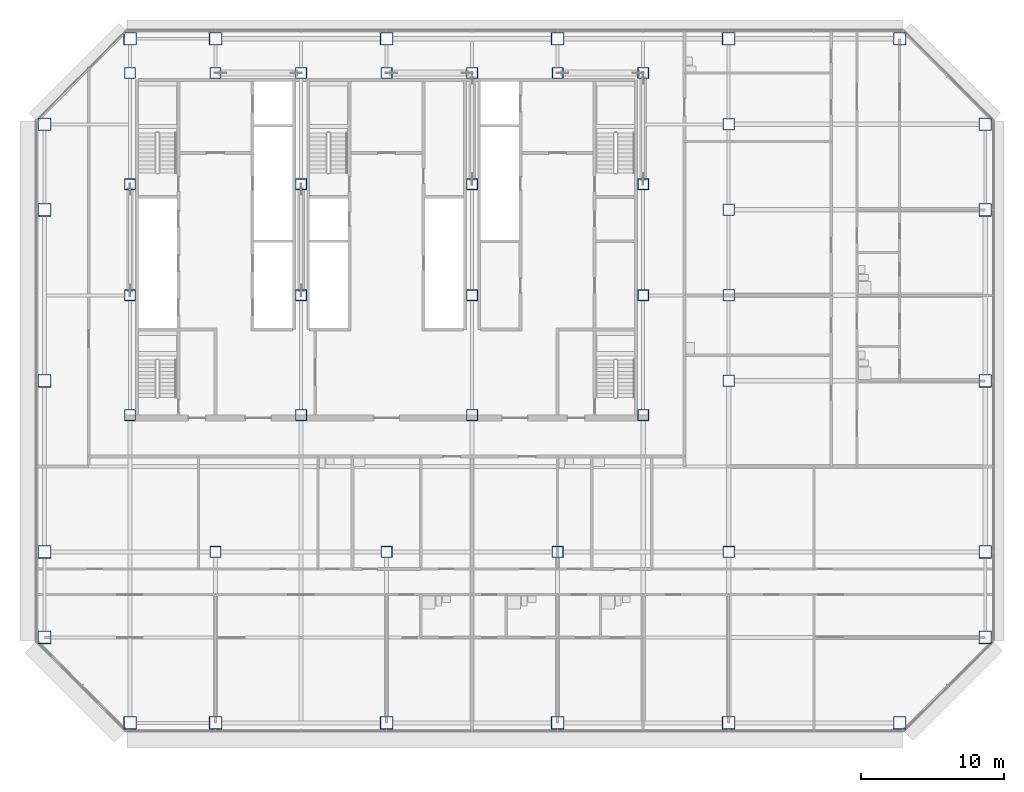
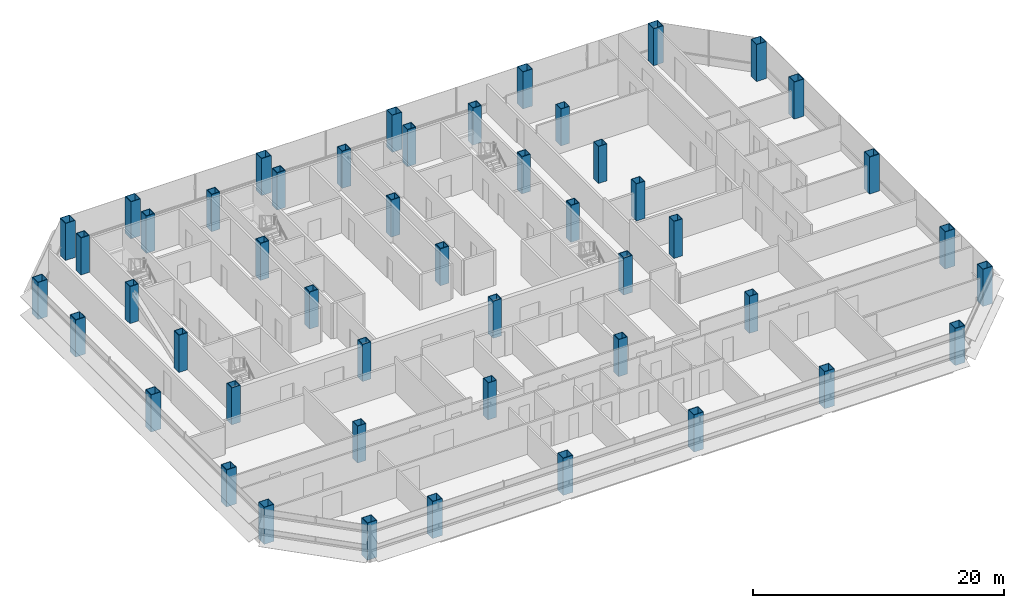
# One storey, part 1 of 26: 49 columns.
"""IFC4 building model written with IfcOpenShell, lengths in metres."""

from ifc_helpers import new_model, si_unit, direction, frame, origin, origin_2d, place, context, subcontext, project, spatial, hollow_rectangle, extrude, material, material_profile, profile_set, type_object, element, save


model = new_model("IFC4")

# Units and contexts
model_context = context("Model", 3, precision=1e-05, world=origin(), true_north=direction((0.0, 1.0)))
body_context = subcontext(model_context, "Body", "Model", "MODEL_VIEW")
ifc_project = project(units=[si_unit("LENGTHUNIT", "METRE"), si_unit("AREAUNIT", "SQUARE_METRE"), si_unit("VOLUMEUNIT", "CUBIC_METRE"), si_unit("PLANEANGLEUNIT", "RADIAN"), si_unit("MASSUNIT", "GRAM", prefix="KILO")], contexts=[model_context])

# Site, building, storey
site_placement = place(None, origin())
site = spatial("IfcSite", under=ifc_project, at=site_placement, CompositionType="ELEMENT")
building_placement = place(site_placement, origin())
building = spatial("IfcBuilding", under=site, at=building_placement, Name="Sorahane Residences", CompositionType="ELEMENT")
storey_placement = place(building_placement, frame((0.0, 0.0, 71.39990234375)))
storey = spatial("IfcBuildingStorey", under=building, at=storey_placement, Name="L14", CompositionType="ELEMENT", Elevation=71.39990234375)

# Columns
ifc_material_1 = material(Name="Steel Q355B", Category="steel")
ifc_material_profile_1 = material_profile(ifc_material_1, hollow_rectangle(XDim=0.800048828125, YDim=0.800048828125, WallThickness=0.0400390625, at=origin_2d()), Name="BOX 800x800x40")
ifc_profile_set_1 = profile_set([ifc_material_profile_1], Name="Steel Q355B")
column_type_1 = type_object("IfcColumnType", Name="Steel box column BOX 800x800x40 Q355B", PredefinedType="COLUMN", material=ifc_profile_set_1)
for number, where, z_axis, x_axis, name in (
    (1, (12.0, 12.0, 0.0), (0.0, 0.0, 1.0), (1.0, 0.0, 0.0), "Column L14 12/12"),
    (2, (24.0, 12.0, 0.0), (0.0, 0.0, 1.0), (1.0, 0.0, 0.0), "Column L14 24/12"),
    (3, (36.0, 12.0, 0.0), (0.0, 0.0, 1.0), (1.0, 0.0, 0.0), "Column L14 36/12"),
    (4, (48.0, 12.0, 0.0), (0.0, 0.0, 1.0), (1.0, 0.0, 0.0), "Column L14 48/12"),
    (5, (48.0, 24.0, 0.0), (0.0, 0.0, 1.0), (1.0, 0.0, 0.0), "Column L14 48/24"),
    (6, (48.0, 30.0, 0.0), (0.0, 0.0, 1.0), (1.0, 0.0, 0.0), "Column L14 48/30"),
    (7, (48.0, 36.0, 0.0), (0.0, 0.0, 1.0), (1.0, 0.0, 0.0), "Column L14 48/36"),
    (8, (48.0, 42.0, 0.0), (0.0, 0.0, 1.0), (1.0, 0.0, 0.0), "Column L14 48/42"),
):
    element("IfcColumn", number, at=place(storey_placement, frame(where, z_axis=z_axis, x_axis=x_axis)), inside=storey, type_object=column_type_1, Name=name, PredefinedType="COLUMN", context=body_context, shape_type="SweptSolid", body=[
        extrude(hollow_rectangle(XDim=0.800048828125, YDim=0.800048828125, WallThickness=0.0400390625, at=origin_2d()), origin(), (0.0, 0.0, 1.0), 3.60009765625),
    ])
ifc_material_2 = material(Name="Steel Q420GJ", Category="steel")
ifc_material_profile_2 = material_profile(ifc_material_2, hollow_rectangle(XDim=0.800048828125, YDim=0.800048828125, WallThickness=0.06005859375, at=origin_2d()), Name="BOX 800x800x60")
ifc_profile_set_2 = profile_set([ifc_material_profile_2], Name="Steel Q420GJ")
column_type_2 = type_object("IfcColumnType", Name="Steel box column BOX 800x800x60 Q420GJ", PredefinedType="COLUMN", material=ifc_profile_set_2)
for number, where, z_axis, x_axis, name in (
    (9, (6.0, 21.60009765625, 0.0), (0.0, 0.0, 1.0), (1.0, 0.0, 0.0), "Column L14 6/21.6"),
    (10, (6.0, 30.0, 0.0), (0.0, 0.0, 1.0), (1.0, 0.0, 0.0), "Column L14 6/30"),
    (11, (6.0, 37.800048828125, 0.0), (0.0, 0.0, 1.0), (1.0, 0.0, 0.0), "Column L14 6/37.8"),
    (12, (6.0, 45.60009765625, 0.0), (0.0, 0.0, 1.0), (1.0, 0.0, 0.0), "Column L14 6/45.6"),
    (13, (12.0, 45.60009765625, 0.0), (0.0, 0.0, 1.0), (1.0, 0.0, 0.0), "Column L14 12/45.6"),
    (14, (18.0, 21.60009765625, 0.0), (0.0, 0.0, 1.0), (1.0, 0.0, 0.0), "Column L14 18/21.6"),
    (15, (18.0, 30.0, 0.0), (0.0, 0.0, 1.0), (1.0, 0.0, 0.0), "Column L14 18/30"),
    (16, (18.0, 37.800048828125, 0.0), (0.0, 0.0, 1.0), (1.0, 0.0, 0.0), "Column L14 18/37.8"),
    (17, (18.0, 45.60009765625, 0.0), (0.0, 0.0, 1.0), (1.0, 0.0, 0.0), "Column L14 18/45.6"),
    (18, (24.0, 45.60009765625, 0.0), (0.0, 0.0, 1.0), (1.0, 0.0, 0.0), "Column L14 24/45.6"),
    (19, (30.0, 21.60009765625, 0.0), (0.0, 0.0, 1.0), (1.0, 0.0, 0.0), "Column L14 30/21.6"),
    (20, (30.0, 30.0, 0.0), (0.0, 0.0, 1.0), (1.0, 0.0, 0.0), "Column L14 30/30"),
    (21, (30.0, 37.800048828125, 0.0), (0.0, 0.0, 1.0), (1.0, 0.0, 0.0), "Column L14 30/37.8"),
    (22, (30.0, 45.60009765625, 0.0), (0.0, 0.0, 1.0), (1.0, 0.0, 0.0), "Column L14 30/45.6"),
    (23, (36.0, 45.60009765625, 0.0), (0.0, 0.0, 1.0), (1.0, 0.0, 0.0), "Column L14 36/45.6"),
    (24, (42.0, 21.60009765625, 0.0), (0.0, 0.0, 1.0), (1.0, 0.0, 0.0), "Column L14 42/21.6"),
    (25, (42.0, 30.0, 0.0), (0.0, 0.0, 1.0), (1.0, 0.0, 0.0), "Column L14 42/30"),
    (26, (42.0, 37.800048828125, 0.0), (0.0, 0.0, 1.0), (1.0, 0.0, 0.0), "Column L14 42/37.8"),
    (27, (42.0, 45.60009765625, 0.0), (0.0, 0.0, 1.0), (1.0, 0.0, 0.0), "Column L14 42/45.6"),
):
    element("IfcColumn", number, at=place(storey_placement, frame(where, z_axis=z_axis, x_axis=x_axis)), inside=storey, type_object=column_type_2, Name=name, PredefinedType="COLUMN", context=body_context, shape_type="SweptSolid", body=[
        extrude(hollow_rectangle(XDim=0.800048828125, YDim=0.800048828125, WallThickness=0.06005859375, at=origin_2d()), origin(), (0.0, 0.0, 1.0), 3.60009765625),
    ])
ifc_material_3 = material(Name="Steel Q420GJ", Category="steel")
ifc_material_profile_3 = material_profile(ifc_material_3, hollow_rectangle(XDim=0.89990234375, YDim=0.89990234375, WallThickness=0.044921875, at=origin_2d()), Name="BOX 900x900x45")
ifc_profile_set_3 = profile_set([ifc_material_profile_3], Name="Steel Q420GJ")
column_type_3 = type_object("IfcColumnType", Name="Steel box column BOX 900x900x45 Q420GJ", PredefinedType="COLUMN", material=ifc_profile_set_3)
for number, where, z_axis, x_axis, name in (
    (28, (0.0, 6.0, 0.0), (0.0, 0.0, 1.0), (1.0, 0.0, 0.0), "Column L14 m0/6"),
    (29, (0.0, 12.0, 0.0), (0.0, 0.0, 1.0), (1.0, 0.0, 0.0), "Column L14 m0/12"),
    (30, (0.0, 24.0, 0.0), (0.0, 0.0, 1.0), (1.0, 0.0, 0.0), "Column L14 m0/24"),
    (31, (0.0, 36.0, 0.0), (0.0, 0.0, 1.0), (1.0, 0.0, 0.0), "Column L14 m0/36"),
    (32, (0.0, 42.0, 0.0), (0.0, 0.0, 1.0), (1.0, 0.0, 0.0), "Column L14 m0/42"),
    (33, (6.0, 0.0, 0.0), (0.0, 0.0, 1.0), (1.0, 0.0, 0.0), "Column L14 6/0"),
    (34, (6.0, 48.0, 0.0), (0.0, 0.0, 1.0), (1.0, 0.0, 0.0), "Column L14 6/48"),
    (35, (12.0, 0.0, 0.0), (0.0, 0.0, 1.0), (1.0, 0.0, 0.0), "Column L14 12/0"),
    (36, (12.0, 48.0, 0.0), (0.0, 0.0, 1.0), (1.0, 0.0, 0.0), "Column L14 12/48"),
    (37, (24.0, 0.0, 0.0), (0.0, 0.0, 1.0), (1.0, 0.0, 0.0), "Column L14 24/0"),
    (38, (24.0, 48.0, 0.0), (0.0, 0.0, 1.0), (1.0, 0.0, 0.0), "Column L14 24/48"),
    (39, (36.0, 0.0, 0.0), (0.0, 0.0, 1.0), (1.0, 0.0, 0.0), "Column L14 36/0"),
    (40, (36.0, 48.0, 0.0), (0.0, 0.0, 1.0), (1.0, 0.0, 0.0), "Column L14 36/48"),
    (41, (48.0, 0.0, 0.0), (0.0, 0.0, 1.0), (1.0, 0.0, 0.0), "Column L14 48/0"),
    (42, (48.0, 48.0, 0.0), (0.0, 0.0, 1.0), (1.0, 0.0, 0.0), "Column L14 48/48"),
    (43, (60.0, 0.0, 0.0), (0.0, 0.0, 1.0), (1.0, 0.0, 0.0), "Column L14 60/0"),
    (44, (60.0, 48.0, 0.0), (0.0, 0.0, 1.0), (1.0, 0.0, 0.0), "Column L14 60/48"),
    (45, (66.0, 6.0, 0.0), (0.0, 0.0, 1.0), (1.0, 0.0, 0.0), "Column L14 66/6"),
    (46, (66.0, 12.0, 0.0), (0.0, 0.0, 1.0), (1.0, 0.0, 0.0), "Column L14 66/12"),
    (47, (66.0, 24.0, 0.0), (0.0, 0.0, 1.0), (1.0, 0.0, 0.0), "Column L14 66/24"),
    (48, (66.0, 36.0, 0.0), (0.0, 0.0, 1.0), (1.0, 0.0, 0.0), "Column L14 66/36"),
    (49, (66.0, 42.0, 0.0), (0.0, 0.0, 1.0), (1.0, 0.0, 0.0), "Column L14 66/42"),
):
    element("IfcColumn", number, at=place(storey_placement, frame(where, z_axis=z_axis, x_axis=x_axis)), inside=storey, type_object=column_type_3, Name=name, PredefinedType="COLUMN", context=body_context, shape_type="SweptSolid", body=[
        extrude(hollow_rectangle(XDim=0.89990234375, YDim=0.89990234375, WallThickness=0.044921875, at=origin_2d()), origin(), (0.0, 0.0, 1.0), 3.60009765625),
    ])

save(model, "model.ifc")
